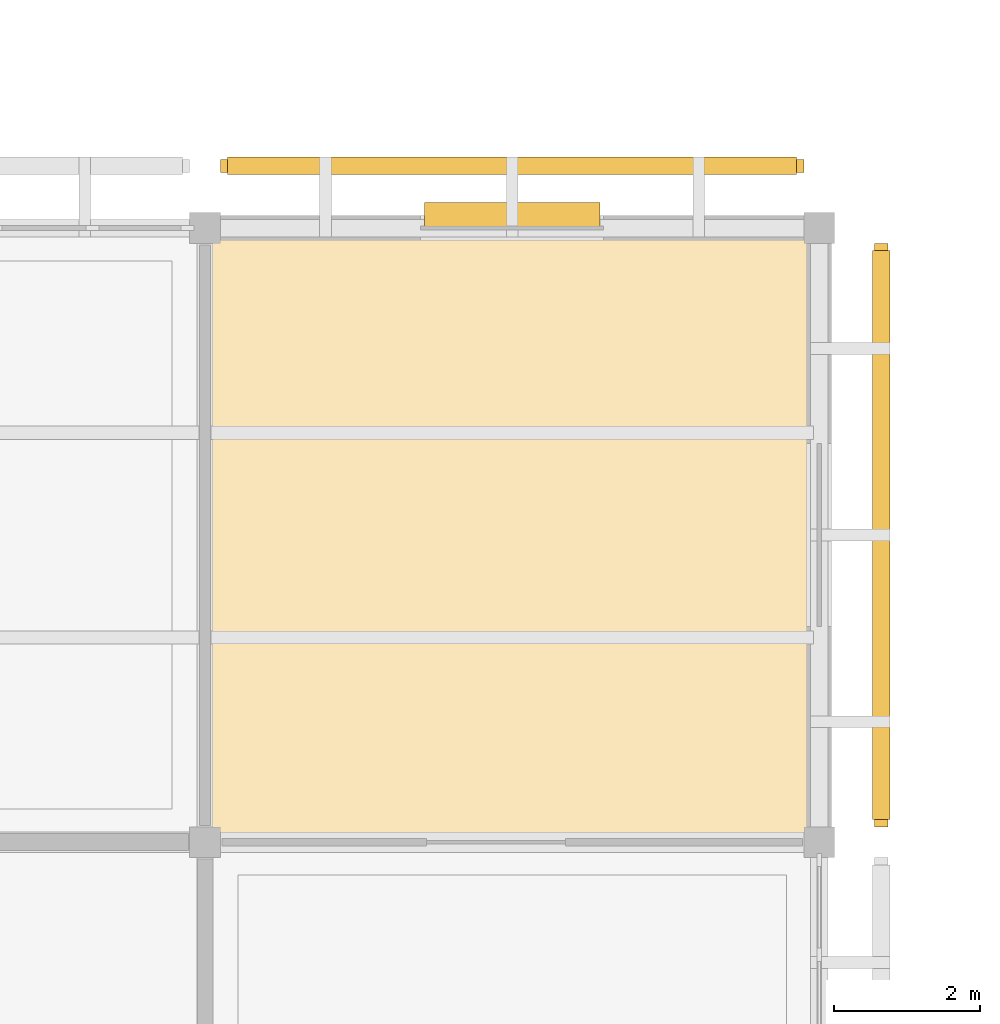
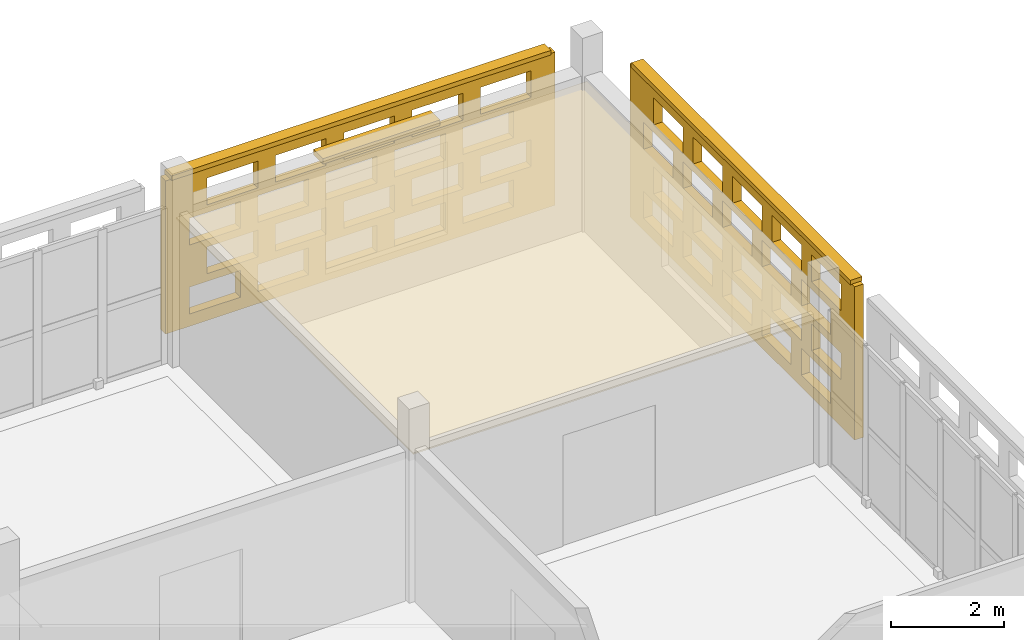
# One storey, part 166 of 166: 3 coverings, 3 shading devices, 40 openings.
"""IFC4 building model written with IfcOpenShell, lengths in metres."""

from ifc_helpers import new_model, si_unit, direction, frame, frame_2d, origin, origin_2d, place, context, subcontext, project, spatial, rectangle, extrude, material, layer, layer_set, type_object, element, save


model = new_model("IFC4")

# Units and contexts
model_context = context("Model", 3, precision=1e-05, world=origin(), true_north=direction((0.0, 1.0)))
body_context = subcontext(model_context, "Body", "Model", "MODEL_VIEW")
ifc_project = project(units=[si_unit("LENGTHUNIT", "METRE"), si_unit("AREAUNIT", "SQUARE_METRE"), si_unit("VOLUMEUNIT", "CUBIC_METRE"), si_unit("PLANEANGLEUNIT", "RADIAN"), si_unit("MASSUNIT", "GRAM", prefix="KILO")], contexts=[model_context])

# Site, building, storey
site_placement = place(None, origin())
site = spatial("IfcSite", under=ifc_project, at=site_placement, CompositionType="ELEMENT")
building_placement = place(site_placement, origin())
building = spatial("IfcBuilding", under=site, at=building_placement, Name="Varnapada Polytechnic", CompositionType="ELEMENT")
storey_placement = place(building_placement, frame((0.0, 0.0, 9.60009765625)))
storey = spatial("IfcBuildingStorey", under=building, at=storey_placement, Name="L02", CompositionType="ELEMENT", Elevation=9.60009765625)

# Shading device
ifc_material_1 = material(Name="Anodised aluminium", Category="aluminium")
ifc_layer_1 = layer(ifc_material_1, 0.35009765625)
ifc_layer_set_1 = layer_set([ifc_layer_1], Name="Anodised aluminium")
shading_device_type_1 = type_object("IfcShadingDeviceType", Name="Solar Louvre LVR-01", PredefinedType="JALOUSIE", material=ifc_layer_set_1)
shading_device_placement = place(storey_placement, frame((172.199951171875, 117.780029296875, 3.159912109375), z_axis=(0.0, 0.0, 1.0), x_axis=(1.0, 0.0, 0.0)))
element("IfcShadingDevice", 1, at=shading_device_placement, inside=storey, type_object=shading_device_type_1, Name="L02 aluminium sun louvre 115", PredefinedType="JALOUSIE", context=body_context, shape_type="SweptSolid", body=[
    extrude(rectangle(XDim=2.39990234375, YDim=0.340087890625, at=origin_2d()), origin(), (0.0, 0.0, 1.0), 0.1201171875),
])

# Covering
ifc_material_2 = material(Name="Moisture-Resistant Aluminum Baffle Ceiling", Category="aluminium")
ifc_layer_2 = layer(ifc_material_2, 0.030029296875)
ifc_layer_set_2 = layer_set([ifc_layer_2], Name="Moisture-Resistant Aluminum Baffle Ceiling")
covering_type_1 = type_object("IfcCoveringType", Name="Suspended Ceiling CLG-03", PredefinedType="CEILING", material=ifc_layer_set_2)
covering_1_placement = place(storey_placement, frame((172.199951171875, 113.39990234375, 3.03466796875), z_axis=(0.0, 0.0, 1.0), x_axis=(1.0, 0.0, 0.0)))
element("IfcCovering", 2, at=covering_1_placement, inside=storey, type_object=covering_type_1, Name="L02 suspended acoustic ceiling (21,14)", PredefinedType="CEILING", context=body_context, shape_type="SweptSolid", body=[
    extrude(rectangle(XDim=8.419921875, YDim=8.419921875, at=origin_2d()), origin(), (0.0, 0.0, 1.0), 0.030029296875),
])

# Covering, openings
ifc_material_3 = material(Name="Earth-toned architectural terracotta screen block", Category="masonry")
ifc_layer_3 = layer(ifc_material_3, 0.1201171875)
ifc_layer_set_3 = layer_set([ifc_layer_3], Name="Earth-toned architectural terracotta screen block")
covering_type_2 = type_object("IfcCoveringType", Name="Terracotta Screen Cladding CLD-01", PredefinedType="CLADDING", material=ifc_layer_set_3)
covering_2_placement = place(storey_placement, frame((168.2099609375, 118.449951171875, 0.0), z_axis=(0.0, 0.0, 1.0), x_axis=(1.0, 0.0, 0.0)))
covering_2 = element("IfcCovering", 3, at=covering_2_placement, inside=storey, type_object=covering_type_2, Name="L02 perforated terracotta block screen (115)", PredefinedType="CLADDING", context=body_context, shape_type="SweptSolid", body=[
    extrude(rectangle(XDim=7.97998046875, YDim=0.179931640625, at=frame_2d((3.989990234375, 0.0))), origin(), (0.0, 0.0, 1.0), 3.31982421875),
])
opening_1_placement = place(covering_2_placement, frame((0.489990234375, 0.0, 0.265625)))
element("IfcOpeningElement", 4, at=opening_1_placement, cuts=covering_2, Name="Screen perforation TBS-L02-114.1", PredefinedType="OPENING", context=body_context, shape_type="SweptSolid", body=[
    extrude(rectangle(XDim=1.0400390625, YDim=0.5810546875, at=frame_2d((0.52001953125, 0.29052734375))), frame((0.0, 0.099853515625, 0.0), z_axis=(0.0, -1.0, 0.0), x_axis=(1.0, 0.0, 0.0)), (0.0, 0.0, 1.0), 0.199951171875),
])
opening_2_placement = place(covering_2_placement, frame((1.889892578125, 0.0, 0.265625)))
element("IfcOpeningElement", 5, at=opening_2_placement, cuts=covering_2, Name="Screen perforation TBS-L02-114.2", PredefinedType="OPENING", context=body_context, shape_type="SweptSolid", body=[
    extrude(rectangle(XDim=1.0400390625, YDim=0.5810546875, at=frame_2d((0.52001953125, 0.29052734375))), frame((0.0, 0.099853515625, 0.0), z_axis=(0.0, -1.0, 0.0), x_axis=(1.0, 0.0, 0.0)), (0.0, 0.0, 1.0), 0.199951171875),
])
opening_3_placement = place(covering_2_placement, frame((3.2900390625, 0.0, 0.265625)))
element("IfcOpeningElement", 6, at=opening_3_placement, cuts=covering_2, Name="Screen perforation TBS-L02-114.3", PredefinedType="OPENING", context=body_context, shape_type="SweptSolid", body=[
    extrude(rectangle(XDim=1.0400390625, YDim=0.5810546875, at=frame_2d((0.52001953125, 0.29052734375))), frame((0.0, 0.099853515625, 0.0), z_axis=(0.0, -1.0, 0.0), x_axis=(1.0, 0.0, 0.0)), (0.0, 0.0, 1.0), 0.199951171875),
])
opening_4_placement = place(covering_2_placement, frame((4.68994140625, 0.0, 0.265625)))
element("IfcOpeningElement", 7, at=opening_4_placement, cuts=covering_2, Name="Screen perforation TBS-L02-114.4", PredefinedType="OPENING", context=body_context, shape_type="SweptSolid", body=[
    extrude(rectangle(XDim=1.0400390625, YDim=0.5810546875, at=frame_2d((0.52001953125, 0.29052734375))), frame((0.0, 0.099853515625, 0.0), z_axis=(0.0, -1.0, 0.0), x_axis=(1.0, 0.0, 0.0)), (0.0, 0.0, 1.0), 0.199951171875),
])
opening_5_placement = place(covering_2_placement, frame((6.090087890625, 0.0, 0.265625)))
element("IfcOpeningElement", 8, at=opening_5_placement, cuts=covering_2, Name="Screen perforation TBS-L02-114.5", PredefinedType="OPENING", context=body_context, shape_type="SweptSolid", body=[
    extrude(rectangle(XDim=1.0400390625, YDim=0.5810546875, at=frame_2d((0.52001953125, 0.29052734375))), frame((0.0, 0.099853515625, 0.0), z_axis=(0.0, -1.0, 0.0), x_axis=(1.0, 0.0, 0.0)), (0.0, 0.0, 1.0), 0.199951171875),
])
opening_6_placement = place(covering_2_placement, frame((0.85009765625, 0.0, 1.0126953125)))
element("IfcOpeningElement", 9, at=opening_6_placement, cuts=covering_2, Name="Screen perforation TBS-L02-114.6", PredefinedType="OPENING", context=body_context, shape_type="SweptSolid", body=[
    extrude(rectangle(XDim=1.0400390625, YDim=0.5810546875, at=frame_2d((0.52001953125, 0.29052734375))), frame((0.0, 0.099853515625, 0.0), z_axis=(0.0, -1.0, 0.0), x_axis=(1.0, 0.0, 0.0)), (0.0, 0.0, 1.0), 0.199951171875),
])
opening_7_placement = place(covering_2_placement, frame((2.25, 0.0, 1.0126953125)))
element("IfcOpeningElement", 10, at=opening_7_placement, cuts=covering_2, Name="Screen perforation TBS-L02-114.7", PredefinedType="OPENING", context=body_context, shape_type="SweptSolid", body=[
    extrude(rectangle(XDim=1.0400390625, YDim=0.5810546875, at=frame_2d((0.52001953125, 0.29052734375))), frame((0.0, 0.099853515625, 0.0), z_axis=(0.0, -1.0, 0.0), x_axis=(1.0, 0.0, 0.0)), (0.0, 0.0, 1.0), 0.199951171875),
])
opening_8_placement = place(covering_2_placement, frame((3.64990234375, 0.0, 1.0126953125)))
element("IfcOpeningElement", 11, at=opening_8_placement, cuts=covering_2, Name="Screen perforation TBS-L02-114.8", PredefinedType="OPENING", context=body_context, shape_type="SweptSolid", body=[
    extrude(rectangle(XDim=1.0400390625, YDim=0.5810546875, at=frame_2d((0.52001953125, 0.29052734375))), frame((0.0, 0.099853515625, 0.0), z_axis=(0.0, -1.0, 0.0), x_axis=(1.0, 0.0, 0.0)), (0.0, 0.0, 1.0), 0.199951171875),
])
opening_9_placement = place(covering_2_placement, frame((5.050048828125, 0.0, 1.0126953125)))
element("IfcOpeningElement", 12, at=opening_9_placement, cuts=covering_2, Name="Screen perforation TBS-L02-114.9", PredefinedType="OPENING", context=body_context, shape_type="SweptSolid", body=[
    extrude(rectangle(XDim=1.0400390625, YDim=0.5810546875, at=frame_2d((0.52001953125, 0.29052734375))), frame((0.0, 0.099853515625, 0.0), z_axis=(0.0, -1.0, 0.0), x_axis=(1.0, 0.0, 0.0)), (0.0, 0.0, 1.0), 0.199951171875),
])
opening_10_placement = place(covering_2_placement, frame((6.449951171875, 0.0, 1.0126953125)))
element("IfcOpeningElement", 13, at=opening_10_placement, cuts=covering_2, Name="Screen perforation TBS-L02-114.10", PredefinedType="OPENING", context=body_context, shape_type="SweptSolid", body=[
    extrude(rectangle(XDim=1.0400390625, YDim=0.5810546875, at=frame_2d((0.52001953125, 0.29052734375))), frame((0.0, 0.099853515625, 0.0), z_axis=(0.0, -1.0, 0.0), x_axis=(1.0, 0.0, 0.0)), (0.0, 0.0, 1.0), 0.199951171875),
])
opening_11_placement = place(covering_2_placement, frame((0.489990234375, 0.0, 1.759521484375)))
element("IfcOpeningElement", 14, at=opening_11_placement, cuts=covering_2, Name="Screen perforation TBS-L02-114.11", PredefinedType="OPENING", context=body_context, shape_type="SweptSolid", body=[
    extrude(rectangle(XDim=1.0400390625, YDim=0.5810546875, at=frame_2d((0.52001953125, 0.29052734375))), frame((0.0, 0.099853515625, 0.0), z_axis=(0.0, -1.0, 0.0), x_axis=(1.0, 0.0, 0.0)), (0.0, 0.0, 1.0), 0.199951171875),
])
opening_12_placement = place(covering_2_placement, frame((1.889892578125, 0.0, 1.759521484375)))
element("IfcOpeningElement", 15, at=opening_12_placement, cuts=covering_2, Name="Screen perforation TBS-L02-114.12", PredefinedType="OPENING", context=body_context, shape_type="SweptSolid", body=[
    extrude(rectangle(XDim=1.0400390625, YDim=0.5810546875, at=frame_2d((0.52001953125, 0.29052734375))), frame((0.0, 0.099853515625, 0.0), z_axis=(0.0, -1.0, 0.0), x_axis=(1.0, 0.0, 0.0)), (0.0, 0.0, 1.0), 0.199951171875),
])
opening_13_placement = place(covering_2_placement, frame((3.2900390625, 0.0, 1.759521484375)))
element("IfcOpeningElement", 16, at=opening_13_placement, cuts=covering_2, Name="Screen perforation TBS-L02-114.13", PredefinedType="OPENING", context=body_context, shape_type="SweptSolid", body=[
    extrude(rectangle(XDim=1.0400390625, YDim=0.5810546875, at=frame_2d((0.52001953125, 0.29052734375))), frame((0.0, 0.099853515625, 0.0), z_axis=(0.0, -1.0, 0.0), x_axis=(1.0, 0.0, 0.0)), (0.0, 0.0, 1.0), 0.199951171875),
])
opening_14_placement = place(covering_2_placement, frame((4.68994140625, 0.0, 1.759521484375)))
element("IfcOpeningElement", 17, at=opening_14_placement, cuts=covering_2, Name="Screen perforation TBS-L02-114.14", PredefinedType="OPENING", context=body_context, shape_type="SweptSolid", body=[
    extrude(rectangle(XDim=1.0400390625, YDim=0.5810546875, at=frame_2d((0.52001953125, 0.29052734375))), frame((0.0, 0.099853515625, 0.0), z_axis=(0.0, -1.0, 0.0), x_axis=(1.0, 0.0, 0.0)), (0.0, 0.0, 1.0), 0.199951171875),
])
opening_15_placement = place(covering_2_placement, frame((6.090087890625, 0.0, 1.759521484375)))
element("IfcOpeningElement", 18, at=opening_15_placement, cuts=covering_2, Name="Screen perforation TBS-L02-114.15", PredefinedType="OPENING", context=body_context, shape_type="SweptSolid", body=[
    extrude(rectangle(XDim=1.0400390625, YDim=0.5810546875, at=frame_2d((0.52001953125, 0.29052734375))), frame((0.0, 0.099853515625, 0.0), z_axis=(0.0, -1.0, 0.0), x_axis=(1.0, 0.0, 0.0)), (0.0, 0.0, 1.0), 0.199951171875),
])
opening_16_placement = place(covering_2_placement, frame((0.85009765625, 0.0, 2.506591796875)))
element("IfcOpeningElement", 19, at=opening_16_placement, cuts=covering_2, Name="Screen perforation TBS-L02-114.16", PredefinedType="OPENING", context=body_context, shape_type="SweptSolid", body=[
    extrude(rectangle(XDim=1.0400390625, YDim=0.5810546875, at=frame_2d((0.52001953125, 0.29052734375))), frame((0.0, 0.099853515625, 0.0), z_axis=(0.0, -1.0, 0.0), x_axis=(1.0, 0.0, 0.0)), (0.0, 0.0, 1.0), 0.199951171875),
])
opening_17_placement = place(covering_2_placement, frame((2.25, 0.0, 2.506591796875)))
element("IfcOpeningElement", 20, at=opening_17_placement, cuts=covering_2, Name="Screen perforation TBS-L02-114.17", PredefinedType="OPENING", context=body_context, shape_type="SweptSolid", body=[
    extrude(rectangle(XDim=1.0400390625, YDim=0.5810546875, at=frame_2d((0.52001953125, 0.29052734375))), frame((0.0, 0.099853515625, 0.0), z_axis=(0.0, -1.0, 0.0), x_axis=(1.0, 0.0, 0.0)), (0.0, 0.0, 1.0), 0.199951171875),
])
opening_18_placement = place(covering_2_placement, frame((3.64990234375, 0.0, 2.506591796875)))
element("IfcOpeningElement", 21, at=opening_18_placement, cuts=covering_2, Name="Screen perforation TBS-L02-114.18", PredefinedType="OPENING", context=body_context, shape_type="SweptSolid", body=[
    extrude(rectangle(XDim=1.0400390625, YDim=0.5810546875, at=frame_2d((0.52001953125, 0.29052734375))), frame((0.0, 0.099853515625, 0.0), z_axis=(0.0, -1.0, 0.0), x_axis=(1.0, 0.0, 0.0)), (0.0, 0.0, 1.0), 0.199951171875),
])
opening_19_placement = place(covering_2_placement, frame((5.050048828125, 0.0, 2.506591796875)))
element("IfcOpeningElement", 22, at=opening_19_placement, cuts=covering_2, Name="Screen perforation TBS-L02-114.19", PredefinedType="OPENING", context=body_context, shape_type="SweptSolid", body=[
    extrude(rectangle(XDim=1.0400390625, YDim=0.5810546875, at=frame_2d((0.52001953125, 0.29052734375))), frame((0.0, 0.099853515625, 0.0), z_axis=(0.0, -1.0, 0.0), x_axis=(1.0, 0.0, 0.0)), (0.0, 0.0, 1.0), 0.199951171875),
])
opening_20_placement = place(covering_2_placement, frame((6.449951171875, 0.0, 2.506591796875)))
element("IfcOpeningElement", 23, at=opening_20_placement, cuts=covering_2, Name="Screen perforation TBS-L02-114.20", PredefinedType="OPENING", context=body_context, shape_type="SweptSolid", body=[
    extrude(rectangle(XDim=1.0400390625, YDim=0.5810546875, at=frame_2d((0.52001953125, 0.29052734375))), frame((0.0, 0.099853515625, 0.0), z_axis=(0.0, -1.0, 0.0), x_axis=(1.0, 0.0, 0.0)), (0.0, 0.0, 1.0), 0.199951171875),
])

covering_3_placement = place(storey_placement, frame((177.25, 117.389892578125, 0.0), z_axis=(0.0, 0.0, 1.0), x_axis=(0.0, -1.0, 0.0)))
covering_3 = element("IfcCovering", 24, at=covering_3_placement, inside=storey, type_object=covering_type_2, Name="L02 perforated terracotta block screen (116)", PredefinedType="CLADDING", context=body_context, shape_type="SweptSolid", body=[
    extrude(rectangle(XDim=7.97998046875, YDim=0.179931640625, at=frame_2d((3.989990234375, 0.0))), origin(), (0.0, 0.0, 1.0), 3.31982421875),
])
opening_21_placement = place(covering_3_placement, frame((0.489990234375, 0.0, 0.265625)))
element("IfcOpeningElement", 25, at=opening_21_placement, cuts=covering_3, Name="Screen perforation TBS-L02-115.1", PredefinedType="OPENING", context=body_context, shape_type="SweptSolid", body=[
    extrude(rectangle(XDim=1.0400390625, YDim=0.5810546875, at=frame_2d((0.52001953125, 0.29052734375))), frame((0.0, 0.099853515625, 0.0), z_axis=(0.0, -1.0, 0.0), x_axis=(1.0, 0.0, 0.0)), (0.0, 0.0, 1.0), 0.199951171875),
])
opening_22_placement = place(covering_3_placement, frame((1.889892578125, 0.0, 0.265625)))
element("IfcOpeningElement", 26, at=opening_22_placement, cuts=covering_3, Name="Screen perforation TBS-L02-115.2", PredefinedType="OPENING", context=body_context, shape_type="SweptSolid", body=[
    extrude(rectangle(XDim=1.0400390625, YDim=0.5810546875, at=frame_2d((0.52001953125, 0.29052734375))), frame((0.0, 0.099853515625, 0.0), z_axis=(0.0, -1.0, 0.0), x_axis=(1.0, 0.0, 0.0)), (0.0, 0.0, 1.0), 0.199951171875),
])
opening_23_placement = place(covering_3_placement, frame((3.2900390625, 0.0, 0.265625)))
element("IfcOpeningElement", 27, at=opening_23_placement, cuts=covering_3, Name="Screen perforation TBS-L02-115.3", PredefinedType="OPENING", context=body_context, shape_type="SweptSolid", body=[
    extrude(rectangle(XDim=1.0400390625, YDim=0.5810546875, at=frame_2d((0.52001953125, 0.29052734375))), frame((0.0, 0.099853515625, 0.0), z_axis=(0.0, -1.0, 0.0), x_axis=(1.0, 0.0, 0.0)), (0.0, 0.0, 1.0), 0.199951171875),
])
opening_24_placement = place(covering_3_placement, frame((4.68994140625, 0.0, 0.265625)))
element("IfcOpeningElement", 28, at=opening_24_placement, cuts=covering_3, Name="Screen perforation TBS-L02-115.4", PredefinedType="OPENING", context=body_context, shape_type="SweptSolid", body=[
    extrude(rectangle(XDim=1.0400390625, YDim=0.5810546875, at=frame_2d((0.52001953125, 0.29052734375))), frame((0.0, 0.099853515625, 0.0), z_axis=(0.0, -1.0, 0.0), x_axis=(1.0, 0.0, 0.0)), (0.0, 0.0, 1.0), 0.199951171875),
])
opening_25_placement = place(covering_3_placement, frame((6.090087890625, 0.0, 0.265625)))
element("IfcOpeningElement", 29, at=opening_25_placement, cuts=covering_3, Name="Screen perforation TBS-L02-115.5", PredefinedType="OPENING", context=body_context, shape_type="SweptSolid", body=[
    extrude(rectangle(XDim=1.0400390625, YDim=0.5810546875, at=frame_2d((0.52001953125, 0.29052734375))), frame((0.0, 0.099853515625, 0.0), z_axis=(0.0, -1.0, 0.0), x_axis=(1.0, 0.0, 0.0)), (0.0, 0.0, 1.0), 0.199951171875),
])
opening_26_placement = place(covering_3_placement, frame((0.85009765625, 0.0, 1.0126953125)))
element("IfcOpeningElement", 30, at=opening_26_placement, cuts=covering_3, Name="Screen perforation TBS-L02-115.6", PredefinedType="OPENING", context=body_context, shape_type="SweptSolid", body=[
    extrude(rectangle(XDim=1.0400390625, YDim=0.5810546875, at=frame_2d((0.52001953125, 0.29052734375))), frame((0.0, 0.099853515625, 0.0), z_axis=(0.0, -1.0, 0.0), x_axis=(1.0, 0.0, 0.0)), (0.0, 0.0, 1.0), 0.199951171875),
])
opening_27_placement = place(covering_3_placement, frame((2.25, 0.0, 1.0126953125)))
element("IfcOpeningElement", 31, at=opening_27_placement, cuts=covering_3, Name="Screen perforation TBS-L02-115.7", PredefinedType="OPENING", context=body_context, shape_type="SweptSolid", body=[
    extrude(rectangle(XDim=1.0400390625, YDim=0.5810546875, at=frame_2d((0.52001953125, 0.29052734375))), frame((0.0, 0.099853515625, 0.0), z_axis=(0.0, -1.0, 0.0), x_axis=(1.0, 0.0, 0.0)), (0.0, 0.0, 1.0), 0.199951171875),
])
opening_28_placement = place(covering_3_placement, frame((3.64990234375, 0.0, 1.0126953125)))
element("IfcOpeningElement", 32, at=opening_28_placement, cuts=covering_3, Name="Screen perforation TBS-L02-115.8", PredefinedType="OPENING", context=body_context, shape_type="SweptSolid", body=[
    extrude(rectangle(XDim=1.0400390625, YDim=0.5810546875, at=frame_2d((0.52001953125, 0.29052734375))), frame((0.0, 0.099853515625, 0.0), z_axis=(0.0, -1.0, 0.0), x_axis=(1.0, 0.0, 0.0)), (0.0, 0.0, 1.0), 0.199951171875),
])
opening_29_placement = place(covering_3_placement, frame((5.050048828125, 0.0, 1.0126953125)))
element("IfcOpeningElement", 33, at=opening_29_placement, cuts=covering_3, Name="Screen perforation TBS-L02-115.9", PredefinedType="OPENING", context=body_context, shape_type="SweptSolid", body=[
    extrude(rectangle(XDim=1.0400390625, YDim=0.5810546875, at=frame_2d((0.52001953125, 0.29052734375))), frame((0.0, 0.099853515625, 0.0), z_axis=(0.0, -1.0, 0.0), x_axis=(1.0, 0.0, 0.0)), (0.0, 0.0, 1.0), 0.199951171875),
])
opening_30_placement = place(covering_3_placement, frame((6.449951171875, 0.0, 1.0126953125)))
element("IfcOpeningElement", 34, at=opening_30_placement, cuts=covering_3, Name="Screen perforation TBS-L02-115.10", PredefinedType="OPENING", context=body_context, shape_type="SweptSolid", body=[
    extrude(rectangle(XDim=1.0400390625, YDim=0.5810546875, at=frame_2d((0.52001953125, 0.29052734375))), frame((0.0, 0.099853515625, 0.0), z_axis=(0.0, -1.0, 0.0), x_axis=(1.0, 0.0, 0.0)), (0.0, 0.0, 1.0), 0.199951171875),
])
opening_31_placement = place(covering_3_placement, frame((0.489990234375, 0.0, 1.759521484375)))
element("IfcOpeningElement", 35, at=opening_31_placement, cuts=covering_3, Name="Screen perforation TBS-L02-115.11", PredefinedType="OPENING", context=body_context, shape_type="SweptSolid", body=[
    extrude(rectangle(XDim=1.0400390625, YDim=0.5810546875, at=frame_2d((0.52001953125, 0.29052734375))), frame((0.0, 0.099853515625, 0.0), z_axis=(0.0, -1.0, 0.0), x_axis=(1.0, 0.0, 0.0)), (0.0, 0.0, 1.0), 0.199951171875),
])
opening_32_placement = place(covering_3_placement, frame((1.889892578125, 0.0, 1.759521484375)))
element("IfcOpeningElement", 36, at=opening_32_placement, cuts=covering_3, Name="Screen perforation TBS-L02-115.12", PredefinedType="OPENING", context=body_context, shape_type="SweptSolid", body=[
    extrude(rectangle(XDim=1.0400390625, YDim=0.5810546875, at=frame_2d((0.52001953125, 0.29052734375))), frame((0.0, 0.099853515625, 0.0), z_axis=(0.0, -1.0, 0.0), x_axis=(1.0, 0.0, 0.0)), (0.0, 0.0, 1.0), 0.199951171875),
])
opening_33_placement = place(covering_3_placement, frame((3.2900390625, 0.0, 1.759521484375)))
element("IfcOpeningElement", 37, at=opening_33_placement, cuts=covering_3, Name="Screen perforation TBS-L02-115.13", PredefinedType="OPENING", context=body_context, shape_type="SweptSolid", body=[
    extrude(rectangle(XDim=1.0400390625, YDim=0.5810546875, at=frame_2d((0.52001953125, 0.29052734375))), frame((0.0, 0.099853515625, 0.0), z_axis=(0.0, -1.0, 0.0), x_axis=(1.0, 0.0, 0.0)), (0.0, 0.0, 1.0), 0.199951171875),
])
opening_34_placement = place(covering_3_placement, frame((4.68994140625, 0.0, 1.759521484375)))
element("IfcOpeningElement", 38, at=opening_34_placement, cuts=covering_3, Name="Screen perforation TBS-L02-115.14", PredefinedType="OPENING", context=body_context, shape_type="SweptSolid", body=[
    extrude(rectangle(XDim=1.0400390625, YDim=0.5810546875, at=frame_2d((0.52001953125, 0.29052734375))), frame((0.0, 0.099853515625, 0.0), z_axis=(0.0, -1.0, 0.0), x_axis=(1.0, 0.0, 0.0)), (0.0, 0.0, 1.0), 0.199951171875),
])
opening_35_placement = place(covering_3_placement, frame((6.090087890625, 0.0, 1.759521484375)))
element("IfcOpeningElement", 39, at=opening_35_placement, cuts=covering_3, Name="Screen perforation TBS-L02-115.15", PredefinedType="OPENING", context=body_context, shape_type="SweptSolid", body=[
    extrude(rectangle(XDim=1.0400390625, YDim=0.5810546875, at=frame_2d((0.52001953125, 0.29052734375))), frame((0.0, 0.099853515625, 0.0), z_axis=(0.0, -1.0, 0.0), x_axis=(1.0, 0.0, 0.0)), (0.0, 0.0, 1.0), 0.199951171875),
])
opening_36_placement = place(covering_3_placement, frame((0.85009765625, 0.0, 2.506591796875)))
element("IfcOpeningElement", 40, at=opening_36_placement, cuts=covering_3, Name="Screen perforation TBS-L02-115.16", PredefinedType="OPENING", context=body_context, shape_type="SweptSolid", body=[
    extrude(rectangle(XDim=1.0400390625, YDim=0.5810546875, at=frame_2d((0.52001953125, 0.29052734375))), frame((0.0, 0.099853515625, 0.0), z_axis=(0.0, -1.0, 0.0), x_axis=(1.0, 0.0, 0.0)), (0.0, 0.0, 1.0), 0.199951171875),
])
opening_37_placement = place(covering_3_placement, frame((2.25, 0.0, 2.506591796875)))
element("IfcOpeningElement", 41, at=opening_37_placement, cuts=covering_3, Name="Screen perforation TBS-L02-115.17", PredefinedType="OPENING", context=body_context, shape_type="SweptSolid", body=[
    extrude(rectangle(XDim=1.0400390625, YDim=0.5810546875, at=frame_2d((0.52001953125, 0.29052734375))), frame((0.0, 0.099853515625, 0.0), z_axis=(0.0, -1.0, 0.0), x_axis=(1.0, 0.0, 0.0)), (0.0, 0.0, 1.0), 0.199951171875),
])
opening_38_placement = place(covering_3_placement, frame((3.64990234375, 0.0, 2.506591796875)))
element("IfcOpeningElement", 42, at=opening_38_placement, cuts=covering_3, Name="Screen perforation TBS-L02-115.18", PredefinedType="OPENING", context=body_context, shape_type="SweptSolid", body=[
    extrude(rectangle(XDim=1.0400390625, YDim=0.5810546875, at=frame_2d((0.52001953125, 0.29052734375))), frame((0.0, 0.099853515625, 0.0), z_axis=(0.0, -1.0, 0.0), x_axis=(1.0, 0.0, 0.0)), (0.0, 0.0, 1.0), 0.199951171875),
])
opening_39_placement = place(covering_3_placement, frame((5.050048828125, 0.0, 2.506591796875)))
element("IfcOpeningElement", 43, at=opening_39_placement, cuts=covering_3, Name="Screen perforation TBS-L02-115.19", PredefinedType="OPENING", context=body_context, shape_type="SweptSolid", body=[
    extrude(rectangle(XDim=1.0400390625, YDim=0.5810546875, at=frame_2d((0.52001953125, 0.29052734375))), frame((0.0, 0.099853515625, 0.0), z_axis=(0.0, -1.0, 0.0), x_axis=(1.0, 0.0, 0.0)), (0.0, 0.0, 1.0), 0.199951171875),
])
opening_40_placement = place(covering_3_placement, frame((6.449951171875, 0.0, 2.506591796875)))
element("IfcOpeningElement", 44, at=opening_40_placement, cuts=covering_3, Name="Screen perforation TBS-L02-115.20", PredefinedType="OPENING", context=body_context, shape_type="SweptSolid", body=[
    extrude(rectangle(XDim=1.0400390625, YDim=0.5810546875, at=frame_2d((0.52001953125, 0.29052734375))), frame((0.0, 0.099853515625, 0.0), z_axis=(0.0, -1.0, 0.0), x_axis=(1.0, 0.0, 0.0)), (0.0, 0.0, 1.0), 0.199951171875),
])

# Shading devices
ifc_layer_4 = layer(ifc_material_3, 0.179931640625)
ifc_layer_set_4 = layer_set([ifc_layer_4], Name="Earth-toned architectural terracotta screen block")
shading_device_type_2 = type_object("IfcShadingDeviceType", Name="Terracotta Screen SCR-01", PredefinedType="USERDEFINED", material=ifc_layer_set_4)
for number, where, z_axis, x_axis, name in (
    (45, (172.199951171875, 118.449951171875, 3.309814453125), (0.0, 0.0, 1.0), (1.0, 0.0, 0.0), "L02 perforated terracotta screen hood 334"),
    (46, (177.25, 113.39990234375, 3.309814453125), (0.0, 0.0, 1.0), (0.0, -1.0, 0.0), "L02 perforated terracotta screen hood 335"),
):
    element("IfcShadingDevice", number, at=place(storey_placement, frame(where, z_axis=z_axis, x_axis=x_axis)), inside=storey, type_object=shading_device_type_2, Name=name, ObjectType="SCREEN", PredefinedType="USERDEFINED", context=body_context, shape_type="SweptSolid", body=[
        extrude(rectangle(XDim=7.780029296875, YDim=0.239990234375, at=origin_2d()), origin(), (0.0, 0.0, 1.0), 0.10009765625),
    ])

save(model, "model.ifc")
